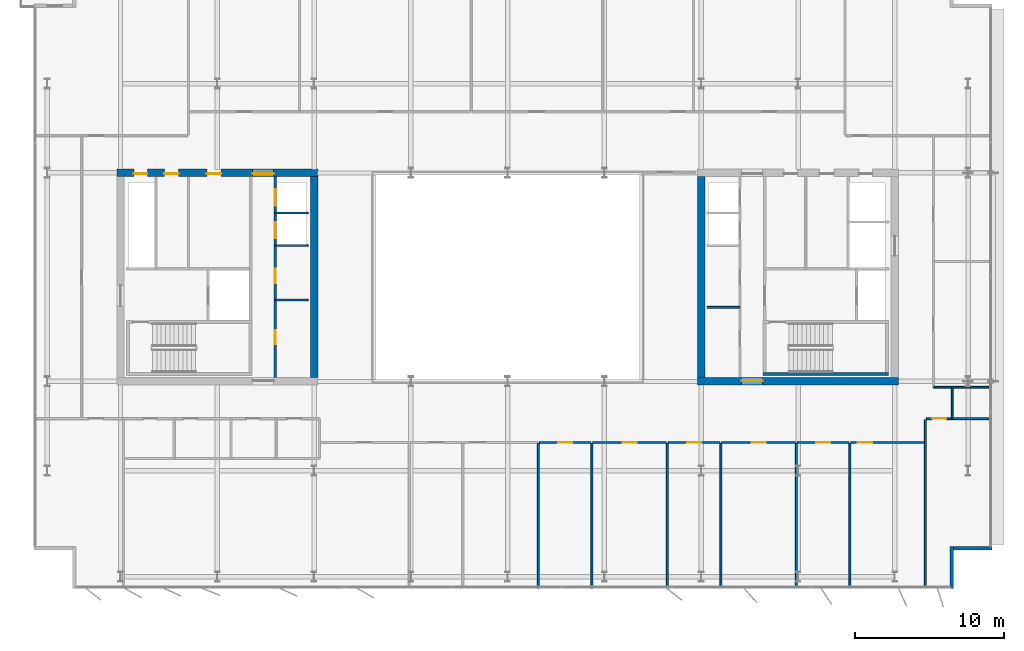
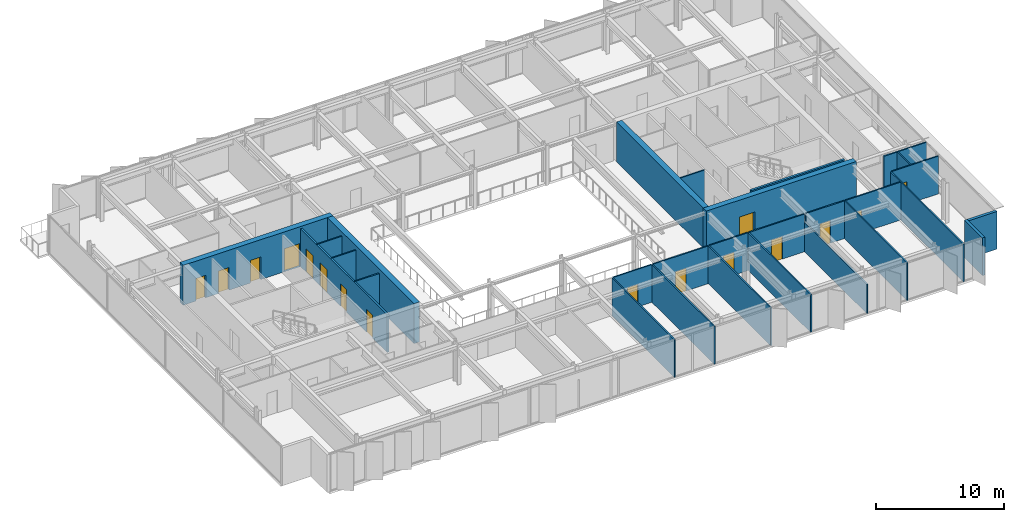
# One storey, part 14 of 20: 28 walls, 16 doors, 16 openings.
"""IFC4 building model written with IfcOpenShell, lengths in metres."""

from ifc_helpers import new_model, si_unit, direction, frame, frame_2d, origin, place, context, subcontext, project, spatial, rectangle, extrude, material, layer, layer_set, type_object, element, fill, save


model = new_model("IFC4")

# Units and contexts
model_context = context("Model", 3, precision=1e-05, world=origin(), true_north=direction((0.0, 1.0)))
body_context = subcontext(model_context, "Body", "Model", "MODEL_VIEW")
ifc_project = project(units=[si_unit("LENGTHUNIT", "METRE"), si_unit("AREAUNIT", "SQUARE_METRE"), si_unit("VOLUMEUNIT", "CUBIC_METRE"), si_unit("PLANEANGLEUNIT", "RADIAN"), si_unit("MASSUNIT", "GRAM", prefix="KILO")], contexts=[model_context])

# Site, building, storey
site_placement = place(None, origin())
site = spatial("IfcSite", under=ifc_project, at=site_placement, CompositionType="ELEMENT")
building_placement = place(site_placement, origin())
building = spatial("IfcBuilding", under=site, at=building_placement, Name="Putna Gate Headquarters", CompositionType="ELEMENT")
storey_placement = place(building_placement, frame((0.0, 0.0, 270.800048828125)))
storey = spatial("IfcBuildingStorey", under=building, at=storey_placement, Name="L68", CompositionType="ELEMENT", Elevation=270.800048828125)

# Wall, openings, doors
ifc_material_1 = material(Name="Concrete C50/60", Category="concrete")
ifc_layer_1 = layer(ifc_material_1, 0.5)
ifc_layer_set_1 = layer_set([ifc_layer_1], Name="Concrete C50/60")
wall_type_1 = type_object("IfcWallType", Name="WALL-CORE-500", PredefinedType="SHEAR", material=ifc_layer_set_1)
wall_1_placement = place(storey_placement, frame((12.75, 33.0, 0.0), z_axis=(0.0, 0.0, 1.0), x_axis=(1.0, 0.0, 0.0)))
wall_1 = element("IfcWall", 1, at=wall_1_placement, inside=storey, type_object=wall_type_1, Name="L68 WC Split Core Shear Wall N", PredefinedType="SHEAR", context=body_context, shape_type="SweptSolid", body=[
    extrude(rectangle(XDim=13.5, YDim=0.5, at=frame_2d((6.75, 0.0))), origin(), (0.0, 0.0, 1.0), 3.800048828125),
])
opening_1_placement = place(wall_1_placement, frame((1.14990234375, 0.0, 0.0)))
opening_1 = element("IfcOpeningElement", 2, at=opening_1_placement, cuts=wall_1, Name="Opening RD-90", PredefinedType="OPENING", context=body_context, shape_type="SweptSolid", body=[
    extrude(rectangle(XDim=0.89990234375, YDim=2.14990234375, at=frame_2d((0.449951171875, 1.074951171875))), frame((0.0, 0.260009765625, 0.0), z_axis=(0.0, -1.0, 0.0), x_axis=(1.0, 0.0, 0.0)), (0.0, 0.0, 1.0), 0.52001953125),
])
opening_2_placement = place(wall_1_placement, frame((3.199951171875, 0.0, 0.0)))
opening_2 = element("IfcOpeningElement", 3, at=opening_2_placement, cuts=wall_1, Name="Opening IDS-95", PredefinedType="OPENING", context=body_context, shape_type="SweptSolid", body=[
    extrude(rectangle(XDim=0.949951171875, YDim=2.14990234375, at=frame_2d((0.47509765625, 1.074951171875))), frame((0.0, 0.260009765625, 0.0), z_axis=(0.0, -1.0, 0.0), x_axis=(1.0, 0.0, 0.0)), (0.0, 0.0, 1.0), 0.52001953125),
])
opening_3_placement = place(wall_1_placement, frame((6.050048828125, 0.0, 0.0)))
opening_3 = element("IfcOpeningElement", 4, at=opening_3_placement, cuts=wall_1, Name="Opening IDS-95", PredefinedType="OPENING", context=body_context, shape_type="SweptSolid", body=[
    extrude(rectangle(XDim=0.949951171875, YDim=2.14990234375, at=frame_2d((0.47509765625, 1.074951171875))), frame((0.0, 0.260009765625, 0.0), z_axis=(0.0, -1.0, 0.0), x_axis=(1.0, 0.0, 0.0)), (0.0, 0.0, 1.0), 0.52001953125),
])
opening_4_placement = place(wall_1_placement, frame((9.1298828125, 0.0, 0.0)))
opening_4 = element("IfcOpeningElement", 5, at=opening_4_placement, cuts=wall_1, Name="Opening FDD-140", PredefinedType="OPENING", context=body_context, shape_type="SweptSolid", body=[
    extrude(rectangle(XDim=1.39990234375, YDim=2.199951171875, at=frame_2d((0.699951171875, 1.10009765625))), frame((0.0, 0.260009765625, 0.0), z_axis=(0.0, -1.0, 0.0), x_axis=(1.0, 0.0, 0.0)), (0.0, 0.0, 1.0), 0.52001953125),
])
ifc_material_2 = material(Name="Double steel fire door", Category="steel")
door_type_1 = type_object("IfcDoorType", Name="DOOR-FIRE-DBL-1400", OperationType="DOUBLE_DOOR_SINGLE_SWING", PredefinedType="DOOR", material=ifc_material_2)
door_1_placement = place(opening_4_placement, origin())
door_1 = element("IfcDoor", 6, at=door_1_placement, inside=storey, type_object=door_type_1, Name="L68 West Lift Lobby North Door", OperationType="DOUBLE_DOOR_SINGLE_SWING", OverallHeight=2.199951171875, OverallWidth=1.39990234375, PredefinedType="DOOR", context=body_context, shape_type="SweptSolid", body=[
    extrude(rectangle(XDim=1.39990234375, YDim=2.199951171875, at=frame_2d((0.699951171875, 1.10009765625))), frame((0.0, -0.02490234375, 0.0), z_axis=(0.0, -1.0, 0.0), x_axis=(1.0, 0.0, 0.0)), (0.0, 0.0, 1.0), 0.050048828125),
])
fill(opening_4, door_1)
ifc_material_3 = material(Name="Fire-rated service timber door", Category="wood")
door_type_2 = type_object("IfcDoorType", Name="DOOR-INT-950", OperationType="NOTDEFINED", PredefinedType="DOOR", material=ifc_material_3)
door_2_placement = place(opening_2_placement, origin())
door_2 = element("IfcDoor", 7, at=door_2_placement, inside=storey, type_object=door_type_2, Name="L68 Archive Store Door", OperationType="SINGLE_SWING_LEFT", OverallHeight=2.14990234375, OverallWidth=0.949951171875, PredefinedType="DOOR", context=body_context, shape_type="SweptSolid", body=[
    extrude(rectangle(XDim=0.949951171875, YDim=2.14990234375, at=frame_2d((0.47509765625, 1.074951171875))), frame((0.0, -0.02490234375, 0.0), z_axis=(0.0, -1.0, 0.0), x_axis=(1.0, 0.0, 0.0)), (0.0, 0.0, 1.0), 0.050048828125),
])
fill(opening_2, door_2)
door_3_placement = place(opening_3_placement, origin())
door_3 = element("IfcDoor", 8, at=door_3_placement, inside=storey, type_object=door_type_2, Name="L68 Switchgear Plant Door", OperationType="SINGLE_SWING_RIGHT", OverallHeight=2.14990234375, OverallWidth=0.949951171875, PredefinedType="DOOR", context=body_context, shape_type="SweptSolid", body=[
    extrude(rectangle(XDim=0.949951171875, YDim=2.14990234375, at=frame_2d((0.47509765625, 1.074951171875))), frame((0.0, -0.02490234375, 0.0), z_axis=(0.0, -1.0, 0.0), x_axis=(1.0, 0.0, 0.0)), (0.0, 0.0, 1.0), 0.050048828125),
])
fill(opening_3, door_3)
ifc_material_4 = material(Name="Steel riser access fire door", Category="steel")
door_type_3 = type_object("IfcDoorType", Name="DOOR-RISER-900", OperationType="NOTDEFINED", PredefinedType="DOOR", material=ifc_material_4)
door_4_placement = place(opening_1_placement, origin())
door_4 = element("IfcDoor", 9, at=door_4_placement, inside=storey, type_object=door_type_3, Name="L68 West Riser Access Door", OperationType="SINGLE_SWING_RIGHT", OverallHeight=2.14990234375, OverallWidth=0.89990234375, PredefinedType="DOOR", context=body_context, shape_type="SweptSolid", body=[
    extrude(rectangle(XDim=0.89990234375, YDim=2.14990234375, at=frame_2d((0.449951171875, 1.074951171875))), frame((0.0, -0.02490234375, 0.0), z_axis=(0.0, -1.0, 0.0), x_axis=(1.0, 0.0, 0.0)), (0.0, 0.0, 1.0), 0.050048828125),
])
fill(opening_1, door_4)

# Wall
wall_2_placement = place(storey_placement, frame((26.0, 19.25, 0.0), z_axis=(0.0, 0.0, 1.0), x_axis=(0.0, 1.0, 0.0)))
element("IfcWall", 10, at=wall_2_placement, inside=storey, type_object=wall_type_1, Name="L68 WC Split Core Shear Wall E", PredefinedType="SHEAR", context=body_context, shape_type="SweptSolid", body=[
    extrude(rectangle(XDim=13.5, YDim=0.5, at=frame_2d((6.75, 0.0))), origin(), (0.0, 0.0, 1.0), 3.800048828125),
])

# Wall, opening, door
wall_3_placement = place(storey_placement, frame((51.75, 19.0, 0.0), z_axis=(0.0, 0.0, 1.0), x_axis=(1.0, 0.0, 0.0)))
wall_3 = element("IfcWall", 11, at=wall_3_placement, inside=storey, type_object=wall_type_1, Name="L68 EC Split Core Shear Wall S", PredefinedType="SHEAR", context=body_context, shape_type="SweptSolid", body=[
    extrude(rectangle(XDim=13.5, YDim=0.5, at=frame_2d((6.75, 0.0))), origin(), (0.0, 0.0, 1.0), 3.800048828125),
])
opening_5_placement = place(wall_3_placement, frame((2.969970703125, 0.0, 0.0)))
opening_5 = element("IfcOpeningElement", 12, at=opening_5_placement, cuts=wall_3, Name="Opening FDD-140", PredefinedType="OPENING", context=body_context, shape_type="SweptSolid", body=[
    extrude(rectangle(XDim=1.39990234375, YDim=2.199951171875, at=frame_2d((0.699951171875, 1.10009765625))), frame((0.0, 0.260009765625, 0.0), z_axis=(0.0, -1.0, 0.0), x_axis=(1.0, 0.0, 0.0)), (0.0, 0.0, 1.0), 0.52001953125),
])
door_5_placement = place(opening_5_placement, origin())
door_5 = element("IfcDoor", 13, at=door_5_placement, inside=storey, type_object=door_type_1, Name="L68 East Lift Lobby South Door", OperationType="DOUBLE_DOOR_SINGLE_SWING", OverallHeight=2.199951171875, OverallWidth=1.39990234375, PredefinedType="DOOR", context=body_context, shape_type="SweptSolid", body=[
    extrude(rectangle(XDim=1.39990234375, YDim=2.199951171875, at=frame_2d((0.699951171875, 1.10009765625))), frame((0.0, 0.0751953125, 0.0), z_axis=(0.0, -1.0, 0.0), x_axis=(1.0, 0.0, 0.0)), (0.0, 0.0, 1.0), 0.050048828125),
])
fill(opening_5, door_5)

# Walls
wall_4_placement = place(storey_placement, frame((52.0, 19.25, 0.0), z_axis=(0.0, 0.0, 1.0), x_axis=(0.0, 1.0, 0.0)))
element("IfcWall", 14, at=wall_4_placement, inside=storey, type_object=wall_type_1, Name="L68 EC Split Core Shear Wall W", PredefinedType="SHEAR", context=body_context, shape_type="SweptSolid", body=[
    extrude(rectangle(XDim=13.5, YDim=0.5, at=frame_2d((6.75, 0.0))), origin(), (0.0, 0.0, 1.0), 3.800048828125),
])
ifc_material_5 = material(Name="Precast concrete C40/50", Category="concrete")
ifc_layer_2 = layer(ifc_material_5, 0.239990234375)
ifc_layer_set_2 = layer_set([ifc_layer_2], Name="Precast concrete C40/50")
wall_type_2 = type_object("IfcWallType", Name="WALL-EXT-TERR-240", PredefinedType="STANDARD", material=ifc_layer_set_2)
wall_5_placement = place(storey_placement, frame((68.832763671875, 7.89990234375, 0.0), z_axis=(0.0, 0.0, 1.0), x_axis=(0.0, -1.0, 0.0)))
element("IfcWall", 15, at=wall_5_placement, inside=storey, type_object=wall_type_2, Name="L68 Corner Notch Return Wall SE-V", PredefinedType="STANDARD", context=body_context, shape_type="SweptSolid", body=[
    extrude(rectangle(XDim=2.7998046875, YDim=0.239990234375, at=frame_2d((1.39990234375, 0.0))), origin(), (0.0, 0.0, 1.0), 3.587890625),
])
wall_6_placement = place(storey_placement, frame((71.5126953125, 7.780029296875, 0.0), z_axis=(0.0, 0.0, 1.0), x_axis=(-1.0, 0.0, 0.0)))
element("IfcWall", 16, at=wall_6_placement, inside=storey, type_object=wall_type_2, Name="L68 Corner Notch Return Wall SE-H", PredefinedType="STANDARD", context=body_context, shape_type="SweptSolid", body=[
    extrude(rectangle(XDim=2.800048828125, YDim=0.239990234375, at=frame_2d((1.39990234375, 0.0))), origin(), (0.0, 0.0, 1.0), 3.587890625),
])
ifc_material_6 = material(Name="Acoustic gypsum board on metal stud")
ifc_layer_3 = layer(ifc_material_6, 0.1201171875)
ifc_layer_set_3 = layer_set([ifc_layer_3], Name="Acoustic gypsum board on metal stud")
wall_type_3 = type_object("IfcWallType", Name="WALL-PART-120", PredefinedType="PARTITIONING", material=ifc_layer_set_3)
for number, where, z_axis, x_axis, name in (
    (17, (41.0634765625, 5.1201171875, 0.0), (0.0, 0.0, 1.0), (0.0, 1.0, 0.0), "L68 Interior Wall PART-L68-SB-DIV-04"),
    (18, (44.655517578125, 5.1201171875, 0.0), (0.0, 0.0, 1.0), (0.0, 1.0, 0.0), "L68 Interior Wall PART-L68-SB-DIV-05"),
    (19, (49.726806640625, 5.1201171875, 0.0), (0.0, 0.0, 1.0), (0.0, 1.0, 0.0), "L68 Interior Wall PART-L68-SB-DIV-06"),
    (20, (53.319091796875, 5.1201171875, 0.0), (0.0, 0.0, 1.0), (0.0, 1.0, 0.0), "L68 Interior Wall PART-L68-SB-DIV-07"),
):
    element("IfcWall", number, at=place(storey_placement, frame(where, z_axis=z_axis, x_axis=x_axis)), inside=storey, type_object=wall_type_3, Name=name, PredefinedType="PARTITIONING", context=body_context, shape_type="SweptSolid", body=[
        extrude(rectangle(XDim=9.719970703125, YDim=0.1201171875, at=frame_2d((4.85986328125, 0.0))), origin(), (0.0, 0.0, 1.0), 3.587890625),
    ])
wall_7_placement = place(storey_placement, frame((58.390380859375, 5.1201171875, 0.0), z_axis=(0.0, 0.0, 1.0), x_axis=(0.0, 1.0, 0.0)))
element("IfcWall", 21, at=wall_7_placement, inside=storey, type_object=wall_type_3, Name="L68 Interior Wall PART-L68-SB-DIV-08", PredefinedType="PARTITIONING", context=body_context, shape_type="SweptSolid", body=[
    extrude(rectangle(XDim=9.719970703125, YDim=0.1201171875, at=frame_2d((4.85986328125, 0.0))), origin(), (0.0, 0.0, 1.0), 2.787841796875),
])
wall_8_placement = place(storey_placement, frame((61.982421875, 5.1201171875, 0.0), z_axis=(0.0, 0.0, 1.0), x_axis=(0.0, 1.0, 0.0)))
element("IfcWall", 22, at=wall_8_placement, inside=storey, type_object=wall_type_3, Name="L68 Interior Wall PART-L68-SB-DIV-09", PredefinedType="PARTITIONING", context=body_context, shape_type="SweptSolid", body=[
    extrude(rectangle(XDim=9.719970703125, YDim=0.1201171875, at=frame_2d((4.85986328125, 0.0))), origin(), (0.0, 0.0, 1.0), 3.587890625),
])
wall_9_placement = place(storey_placement, frame((67.0537109375, 5.1201171875, 0.0), z_axis=(0.0, 0.0, 1.0), x_axis=(0.0, 1.0, 0.0)))
element("IfcWall", 23, at=wall_9_placement, inside=storey, type_object=wall_type_3, Name="L68 Interior Wall PART-L68-SB-DIV-10", PredefinedType="PARTITIONING", context=body_context, shape_type="SweptSolid", body=[
    extrude(rectangle(XDim=11.31982421875, YDim=0.1201171875, at=frame_2d((5.659912109375, 0.0))), origin(), (0.0, 0.0, 1.0), 3.587890625),
])
ifc_material_7 = material(Name="Fire-rated shaftwall gypsum board on metal stud")
ifc_layer_4 = layer(ifc_material_7, 0.1201171875)
ifc_layer_set_4 = layer_set([ifc_layer_4], Name="Fire-rated shaftwall gypsum board on metal stud")
wall_type_4 = type_object("IfcWallType", Name="WALL-PART-120-EI120", PredefinedType="PARTITIONING", material=ifc_layer_set_4)
wall_10_placement = place(storey_placement, frame((23.39990234375, 30.31005859375, 0.0), z_axis=(0.0, 0.0, 1.0), x_axis=(1.0, 0.0, 0.0)))
element("IfcWall", 24, at=wall_10_placement, inside=storey, type_object=wall_type_4, Name="L68 Interior Wall CWINT-L68-WC-LF09-DIV", PredefinedType="PARTITIONING", context=body_context, shape_type="SweptSolid", body=[
    extrude(rectangle(XDim=2.2001953125, YDim=0.1201171875, at=frame_2d((1.10009765625, 0.0))), origin(), (0.0, 0.0, 1.0), 3.587890625),
])
ifc_material_8 = material(Name="Fire-rated gypsum board on metal stud")
ifc_layer_5 = layer(ifc_material_8, 0.1201171875)
ifc_layer_set_5 = layer_set([ifc_layer_5], Name="Fire-rated gypsum board on metal stud")
wall_type_5 = type_object("IfcWallType", Name="WALL-PART-120-RATED", PredefinedType="PARTITIONING", material=ifc_layer_set_5)
for number, where, z_axis, x_axis, name in (
    (25, (23.39990234375, 24.469970703125, 0.0), (0.0, 0.0, 1.0), (1.0, 0.0, 0.0), "L68 Interior Wall CWINT-L68-WC-REUSE-DIV"),
    (26, (23.39990234375, 28.1201171875, 0.0), (0.0, 0.0, 1.0), (1.0, 0.0, 0.0), "L68 Interior Wall CWINT-L68-WC-LF06-DIV"),
    (27, (52.39990234375, 23.969970703125, 0.0), (0.0, 0.0, 1.0), (1.0, 0.0, 0.0), "L68 Interior Wall CWINT-L68-EC-REUSE-DIV"),
):
    element("IfcWall", number, at=place(storey_placement, frame(where, z_axis=z_axis, x_axis=x_axis)), inside=storey, type_object=wall_type_5, Name=name, PredefinedType="PARTITIONING", context=body_context, shape_type="SweptSolid", body=[
        extrude(rectangle(XDim=2.2001953125, YDim=0.1201171875, at=frame_2d((1.10009765625, 0.0))), origin(), (0.0, 0.0, 1.0), 3.587890625),
    ])
wall_11_placement = place(storey_placement, frame((68.853759765625, 16.5, 0.0), z_axis=(0.0, 0.0, 1.0), x_axis=(0.0, 1.0, 0.0)))
element("IfcWall", 28, at=wall_11_placement, inside=storey, type_object=wall_type_5, Name="L68 Interior Wall PART-L68-CORRS-CAPE", PredefinedType="PARTITIONING", context=body_context, shape_type="SweptSolid", body=[
    extrude(rectangle(XDim=2.10009765625, YDim=0.1201171875, at=frame_2d((1.050048828125, 0.0))), origin(), (0.0, 0.0, 1.0), 3.587890625),
])

# Wall, opening, door
wall_12_placement = place(storey_placement, frame((41.12353515625, 14.89990234375, 0.0), z_axis=(0.0, 0.0, 1.0), x_axis=(1.0, 0.0, 0.0)))
wall_12 = element("IfcWall", 29, at=wall_12_placement, inside=storey, type_object=wall_type_5, Name="L68 Interior Wall PART-L68-SB-CW-05", PredefinedType="PARTITIONING", context=body_context, shape_type="SweptSolid", body=[
    extrude(rectangle(XDim=3.47216796875, YDim=0.1201171875, at=frame_2d((1.736083984375, 0.0))), origin(), (0.0, 0.0, 1.0), 3.587890625),
])
opening_6_placement = place(wall_12_placement, frame((1.260986328125, 0.0, 0.0)))
opening_6 = element("IfcOpeningElement", 30, at=opening_6_placement, cuts=wall_12, Name="Opening FD-95", PredefinedType="OPENING", context=body_context, shape_type="SweptSolid", body=[
    extrude(rectangle(XDim=0.949951171875, YDim=2.14990234375, at=frame_2d((0.47509765625, 1.074951171875))), frame((0.0, 0.070068359375, 0.0), z_axis=(0.0, -1.0, 0.0), x_axis=(1.0, 0.0, 0.0)), (0.0, 0.0, 1.0), 0.14013671875),
])
ifc_material_9 = material(Name="Acoustic timber fire door", Category="wood")
door_type_4 = type_object("IfcDoorType", Name="DOOR-FIRE-950", OperationType="NOTDEFINED", PredefinedType="DOOR", material=ifc_material_9)
door_6_placement = place(opening_6_placement, origin())
door_6 = element("IfcDoor", 31, at=door_6_placement, inside=storey, type_object=door_type_4, Name="L68 Cellular Office 7 Door", OperationType="SINGLE_SWING_LEFT", OverallHeight=2.14990234375, OverallWidth=0.949951171875, PredefinedType="DOOR", context=body_context, shape_type="SweptSolid", body=[
    extrude(rectangle(XDim=0.949951171875, YDim=2.14990234375, at=frame_2d((0.47509765625, 1.074951171875))), frame((0.0, 0.02490234375, 0.0), z_axis=(0.0, -1.0, 0.0), x_axis=(1.0, 0.0, 0.0)), (0.0, 0.0, 1.0), 0.050048828125),
])
fill(opening_6, door_6)

wall_13_placement = place(storey_placement, frame((44.715576171875, 14.89990234375, 0.0), z_axis=(0.0, 0.0, 1.0), x_axis=(1.0, 0.0, 0.0)))
wall_13 = element("IfcWall", 32, at=wall_13_placement, inside=storey, type_object=wall_type_5, Name="L68 Interior Wall PART-L68-SB-CW-06", PredefinedType="PARTITIONING", context=body_context, shape_type="SweptSolid", body=[
    extrude(rectangle(XDim=4.951416015625, YDim=0.1201171875, at=frame_2d((2.4755859375, 0.0))), origin(), (0.0, 0.0, 1.0), 3.587890625),
])
opening_7_placement = place(wall_13_placement, frame((2.00048828125, 0.0, 0.0)))
opening_7 = element("IfcOpeningElement", 33, at=opening_7_placement, cuts=wall_13, Name="Opening FD-95", PredefinedType="OPENING", context=body_context, shape_type="SweptSolid", body=[
    extrude(rectangle(XDim=0.949951171875, YDim=2.14990234375, at=frame_2d((0.47509765625, 1.074951171875))), frame((0.0, 0.070068359375, 0.0), z_axis=(0.0, -1.0, 0.0), x_axis=(1.0, 0.0, 0.0)), (0.0, 0.0, 1.0), 0.14013671875),
])
door_7_placement = place(opening_7_placement, origin())
door_7 = element("IfcDoor", 34, at=door_7_placement, inside=storey, type_object=door_type_4, Name="L68 Conference Meeting Room 1 Door", OperationType="SINGLE_SWING_RIGHT", OverallHeight=2.14990234375, OverallWidth=0.949951171875, PredefinedType="DOOR", context=body_context, shape_type="SweptSolid", body=[
    extrude(rectangle(XDim=0.949951171875, YDim=2.14990234375, at=frame_2d((0.47509765625, 1.074951171875))), frame((0.0, 0.02490234375, 0.0), z_axis=(0.0, -1.0, 0.0), x_axis=(1.0, 0.0, 0.0)), (0.0, 0.0, 1.0), 0.050048828125),
])
fill(opening_7, door_7)

wall_14_placement = place(storey_placement, frame((49.786865234375, 14.89990234375, 0.0), z_axis=(0.0, 0.0, 1.0), x_axis=(1.0, 0.0, 0.0)))
wall_14 = element("IfcWall", 35, at=wall_14_placement, inside=storey, type_object=wall_type_5, Name="L68 Interior Wall PART-L68-SB-CW-07", PredefinedType="PARTITIONING", context=body_context, shape_type="SweptSolid", body=[
    extrude(rectangle(XDim=3.47216796875, YDim=0.1201171875, at=frame_2d((1.736083984375, 0.0))), origin(), (0.0, 0.0, 1.0), 3.587890625),
])
opening_8_placement = place(wall_14_placement, frame((1.260986328125, 0.0, 0.0)))
opening_8 = element("IfcOpeningElement", 36, at=opening_8_placement, cuts=wall_14, Name="Opening FD-95", PredefinedType="OPENING", context=body_context, shape_type="SweptSolid", body=[
    extrude(rectangle(XDim=0.949951171875, YDim=2.14990234375, at=frame_2d((0.47509765625, 1.074951171875))), frame((0.0, 0.070068359375, 0.0), z_axis=(0.0, -1.0, 0.0), x_axis=(1.0, 0.0, 0.0)), (0.0, 0.0, 1.0), 0.14013671875),
])
door_8_placement = place(opening_8_placement, origin())
door_8 = element("IfcDoor", 37, at=door_8_placement, inside=storey, type_object=door_type_4, Name="L68 Conference Meeting Room 2 Door", OperationType="SINGLE_SWING_LEFT", OverallHeight=2.14990234375, OverallWidth=0.949951171875, PredefinedType="DOOR", context=body_context, shape_type="SweptSolid", body=[
    extrude(rectangle(XDim=0.949951171875, YDim=2.14990234375, at=frame_2d((0.47509765625, 1.074951171875))), frame((0.0, 0.02490234375, 0.0), z_axis=(0.0, -1.0, 0.0), x_axis=(1.0, 0.0, 0.0)), (0.0, 0.0, 1.0), 0.050048828125),
])
fill(opening_8, door_8)

wall_15_placement = place(storey_placement, frame((53.379150390625, 14.89990234375, 0.0), z_axis=(0.0, 0.0, 1.0), x_axis=(1.0, 0.0, 0.0)))
wall_15 = element("IfcWall", 38, at=wall_15_placement, inside=storey, type_object=wall_type_5, Name="L68 Interior Wall PART-L68-SB-CW-08", PredefinedType="PARTITIONING", context=body_context, shape_type="SweptSolid", body=[
    extrude(rectangle(XDim=4.951171875, YDim=0.1201171875, at=frame_2d((2.4755859375, 0.0))), origin(), (0.0, 0.0, 1.0), 3.587890625),
])
opening_9_placement = place(wall_15_placement, frame((2.00048828125, 0.0, 0.0)))
opening_9 = element("IfcOpeningElement", 39, at=opening_9_placement, cuts=wall_15, Name="Opening FD-95", PredefinedType="OPENING", context=body_context, shape_type="SweptSolid", body=[
    extrude(rectangle(XDim=0.949951171875, YDim=2.14990234375, at=frame_2d((0.47509765625, 1.074951171875))), frame((0.0, 0.070068359375, 0.0), z_axis=(0.0, -1.0, 0.0), x_axis=(1.0, 0.0, 0.0)), (0.0, 0.0, 1.0), 0.14013671875),
])
door_9_placement = place(opening_9_placement, origin())
door_9 = element("IfcDoor", 40, at=door_9_placement, inside=storey, type_object=door_type_4, Name="L68 Conference Meeting Room 3 Door", OperationType="SINGLE_SWING_RIGHT", OverallHeight=2.14990234375, OverallWidth=0.949951171875, PredefinedType="DOOR", context=body_context, shape_type="SweptSolid", body=[
    extrude(rectangle(XDim=0.949951171875, YDim=2.14990234375, at=frame_2d((0.47509765625, 1.074951171875))), frame((0.0, 0.02490234375, 0.0), z_axis=(0.0, -1.0, 0.0), x_axis=(1.0, 0.0, 0.0)), (0.0, 0.0, 1.0), 0.050048828125),
])
fill(opening_9, door_9)

wall_16_placement = place(storey_placement, frame((58.450439453125, 14.89990234375, 0.0), z_axis=(0.0, 0.0, 1.0), x_axis=(1.0, 0.0, 0.0)))
wall_16 = element("IfcWall", 41, at=wall_16_placement, inside=storey, type_object=wall_type_5, Name="L68 Interior Wall PART-L68-SB-CW-09", PredefinedType="PARTITIONING", context=body_context, shape_type="SweptSolid", body=[
    extrude(rectangle(XDim=3.47216796875, YDim=0.1201171875, at=frame_2d((1.736083984375, 0.0))), origin(), (0.0, 0.0, 1.0), 3.587890625),
])
opening_10_placement = place(wall_16_placement, frame((1.260986328125, 0.0, 0.0)))
opening_10 = element("IfcOpeningElement", 42, at=opening_10_placement, cuts=wall_16, Name="Opening FD-95", PredefinedType="OPENING", context=body_context, shape_type="SweptSolid", body=[
    extrude(rectangle(XDim=0.949951171875, YDim=2.14990234375, at=frame_2d((0.47509765625, 1.074951171875))), frame((0.0, 0.070068359375, 0.0), z_axis=(0.0, -1.0, 0.0), x_axis=(1.0, 0.0, 0.0)), (0.0, 0.0, 1.0), 0.14013671875),
])
door_10_placement = place(opening_10_placement, origin())
door_10 = element("IfcDoor", 43, at=door_10_placement, inside=storey, type_object=door_type_4, Name="L68 Conference Meeting Room 4 Door", OperationType="SINGLE_SWING_LEFT", OverallHeight=2.14990234375, OverallWidth=0.949951171875, PredefinedType="DOOR", context=body_context, shape_type="SweptSolid", body=[
    extrude(rectangle(XDim=0.949951171875, YDim=2.14990234375, at=frame_2d((0.47509765625, 1.074951171875))), frame((0.0, 0.02490234375, 0.0), z_axis=(0.0, -1.0, 0.0), x_axis=(1.0, 0.0, 0.0)), (0.0, 0.0, 1.0), 0.050048828125),
])
fill(opening_10, door_10)

wall_17_placement = place(storey_placement, frame((62.04248046875, 14.89990234375, 0.0), z_axis=(0.0, 0.0, 1.0), x_axis=(1.0, 0.0, 0.0)))
wall_17 = element("IfcWall", 44, at=wall_17_placement, inside=storey, type_object=wall_type_5, Name="L68 Interior Wall PART-L68-SB-CW-10", PredefinedType="PARTITIONING", context=body_context, shape_type="SweptSolid", body=[
    extrude(rectangle(XDim=4.951416015625, YDim=0.1201171875, at=frame_2d((2.4755859375, 0.0))), origin(), (0.0, 0.0, 1.0), 3.587890625),
])
opening_11_placement = place(wall_17_placement, frame((0.47998046875, 0.0, 0.0)))
opening_11 = element("IfcOpeningElement", 45, at=opening_11_placement, cuts=wall_17, Name="Opening FD-95", PredefinedType="OPENING", context=body_context, shape_type="SweptSolid", body=[
    extrude(rectangle(XDim=0.949951171875, YDim=2.14990234375, at=frame_2d((0.47509765625, 1.074951171875))), frame((0.0, 0.070068359375, 0.0), z_axis=(0.0, -1.0, 0.0), x_axis=(1.0, 0.0, 0.0)), (0.0, 0.0, 1.0), 0.14013671875),
])
door_11_placement = place(opening_11_placement, origin())
door_11 = element("IfcDoor", 46, at=door_11_placement, inside=storey, type_object=door_type_4, Name="L68 Collaborative Breakout Lounge 1 Door", OperationType="SINGLE_SWING_RIGHT", OverallHeight=2.14990234375, OverallWidth=0.949951171875, PredefinedType="DOOR", context=body_context, shape_type="SweptSolid", body=[
    extrude(rectangle(XDim=0.949951171875, YDim=2.14990234375, at=frame_2d((0.47509765625, 1.074951171875))), frame((0.0, 0.02490234375, 0.0), z_axis=(0.0, -1.0, 0.0), x_axis=(1.0, 0.0, 0.0)), (0.0, 0.0, 1.0), 0.050048828125),
])
fill(opening_11, door_11)

wall_18_placement = place(storey_placement, frame((67.11376953125, 16.5, 0.0), z_axis=(0.0, 0.0, 1.0), x_axis=(1.0, 0.0, 0.0)))
wall_18 = element("IfcWall", 47, at=wall_18_placement, inside=storey, type_object=wall_type_5, Name="L68 Interior Wall PART-L68-SB-CW-11", PredefinedType="PARTITIONING", context=body_context, shape_type="SweptSolid", body=[
    extrude(rectangle(XDim=4.218994140625, YDim=0.1201171875, at=frame_2d((2.109375, 0.0))), origin(), (0.0, 0.0, 1.0), 3.587890625),
])
opening_12_placement = place(wall_18_placement, frame((0.39501953125, 0.0, 0.0)))
opening_12 = element("IfcOpeningElement", 48, at=opening_12_placement, cuts=wall_18, Name="Opening FD-95", PredefinedType="OPENING", context=body_context, shape_type="SweptSolid", body=[
    extrude(rectangle(XDim=0.949951171875, YDim=2.14990234375, at=frame_2d((0.47509765625, 1.074951171875))), frame((0.0, 0.070068359375, 0.0), z_axis=(0.0, -1.0, 0.0), x_axis=(1.0, 0.0, 0.0)), (0.0, 0.0, 1.0), 0.14013671875),
])
door_12_placement = place(opening_12_placement, origin())
door_12 = element("IfcDoor", 49, at=door_12_placement, inside=storey, type_object=door_type_4, Name="L68 Quiet Wellness Focus Studio 2 Door", OperationType="SINGLE_SWING_LEFT", OverallHeight=2.14990234375, OverallWidth=0.949951171875, PredefinedType="DOOR", context=body_context, shape_type="SweptSolid", body=[
    extrude(rectangle(XDim=0.949951171875, YDim=2.14990234375, at=frame_2d((0.47509765625, 1.074951171875))), frame((0.0, 0.02490234375, 0.0), z_axis=(0.0, -1.0, 0.0), x_axis=(1.0, 0.0, 0.0)), (0.0, 0.0, 1.0), 0.050048828125),
])
fill(opening_12, door_12)

# Wall
wall_19_placement = place(storey_placement, frame((67.60009765625, 18.60009765625, 0.0), z_axis=(0.0, 0.0, 1.0), x_axis=(1.0, 0.0, 0.0)))
element("IfcWall", 50, at=wall_19_placement, inside=storey, type_object=wall_type_5, Name="L68 Interior Wall PART-L68-EW-S-BOUND", PredefinedType="PARTITIONING", context=body_context, shape_type="SweptSolid", body=[
    extrude(rectangle(XDim=3.892578125, YDim=0.1201171875, at=frame_2d((1.9462890625, 0.0))), origin(), (0.0, 0.0, 1.0), 3.587890625),
])

# Wall, openings, doors
ifc_material_10 = material(Name="Concrete C40/50", Category="concrete")
ifc_layer_6 = layer(ifc_material_10, 0.159912109375)
ifc_layer_set_6 = layer_set([ifc_layer_6], Name="Concrete C40/50")
wall_type_6 = type_object("IfcWallType", Name="WALL-SHAFT-160", PredefinedType="STANDARD", material=ifc_layer_set_6)
wall_20_placement = place(storey_placement, frame((23.39990234375, 19.25, 0.0), z_axis=(0.0, 0.0, 1.0), x_axis=(0.0, 1.0, 0.0)))
wall_20 = element("IfcWall", 51, at=wall_20_placement, inside=storey, type_object=wall_type_6, Name="L68 Interior Wall CWINT-L68-WC-PL-WALL", PredefinedType="STANDARD", context=body_context, shape_type="SweptSolid", body=[
    extrude(rectangle(XDim=13.5, YDim=0.159912109375, at=frame_2d((6.75, 0.0))), origin(), (0.0, 0.0, 1.0), 3.587890625),
])
opening_13_placement = place(wall_20_placement, frame((2.25, 0.0, 0.0)))
opening_13 = element("IfcOpeningElement", 52, at=opening_13_placement, cuts=wall_20, Name="Opening IDS-95", PredefinedType="OPENING", context=body_context, shape_type="SweptSolid", body=[
    extrude(rectangle(XDim=0.949951171875, YDim=2.14990234375, at=frame_2d((0.47509765625, 1.074951171875))), frame((0.0, 0.08984375, 0.0), z_axis=(0.0, -1.0, 0.0), x_axis=(1.0, 0.0, 0.0)), (0.0, 0.0, 1.0), 0.179931640625),
])
opening_14_placement = place(wall_20_placement, frame((6.35009765625, 0.0, 0.0)))
opening_14 = element("IfcOpeningElement", 53, at=opening_14_placement, cuts=wall_20, Name="Opening IDS-95", PredefinedType="OPENING", context=body_context, shape_type="SweptSolid", body=[
    extrude(rectangle(XDim=0.949951171875, YDim=2.14990234375, at=frame_2d((0.47509765625, 1.074951171875))), frame((0.0, 0.08984375, 0.0), z_axis=(0.0, -1.0, 0.0), x_axis=(1.0, 0.0, 0.0)), (0.0, 0.0, 1.0), 0.179931640625),
])
opening_15_placement = place(wall_20_placement, frame((9.35009765625, 0.0, 0.0)))
opening_15 = element("IfcOpeningElement", 54, at=opening_15_placement, cuts=wall_20, Name="Opening LD-1", PredefinedType="OPENING", context=body_context, shape_type="SweptSolid", body=[
    extrude(rectangle(XDim=1.10009765625, YDim=2.199951171875, at=frame_2d((0.550048828125, 1.10009765625))), frame((0.0, 0.08984375, 0.0), z_axis=(0.0, -1.0, 0.0), x_axis=(1.0, 0.0, 0.0)), (0.0, 0.0, 1.0), 0.179931640625),
])
opening_16_placement = place(wall_20_placement, frame((11.550048828125, 0.0, 0.0)))
opening_16 = element("IfcOpeningElement", 55, at=opening_16_placement, cuts=wall_20, Name="Opening LD-1", PredefinedType="OPENING", context=body_context, shape_type="SweptSolid", body=[
    extrude(rectangle(XDim=1.10009765625, YDim=2.199951171875, at=frame_2d((0.550048828125, 1.10009765625))), frame((0.0, 0.08984375, 0.0), z_axis=(0.0, -1.0, 0.0), x_axis=(1.0, 0.0, 0.0)), (0.0, 0.0, 1.0), 0.179931640625),
])
door_13_placement = place(opening_13_placement, origin())
door_13 = element("IfcDoor", 56, at=door_13_placement, inside=storey, type_object=door_type_2, Name="L68 Tenant IT Hub Door", OperationType="SINGLE_SWING_LEFT", OverallHeight=2.14990234375, OverallWidth=0.949951171875, PredefinedType="DOOR", context=body_context, shape_type="SweptSolid", body=[
    extrude(rectangle(XDim=0.949951171875, YDim=2.14990234375, at=frame_2d((0.47509765625, 1.074951171875))), frame((0.0, 0.02490234375, 0.0), z_axis=(0.0, -1.0, 0.0), x_axis=(1.0, 0.0, 0.0)), (0.0, 0.0, 1.0), 0.050048828125),
])
fill(opening_13, door_13)
door_14_placement = place(opening_14_placement, origin())
door_14 = element("IfcDoor", 57, at=door_14_placement, inside=storey, type_object=door_type_2, Name="L68 Records Vault Door", OperationType="SINGLE_SWING_RIGHT", OverallHeight=2.14990234375, OverallWidth=0.949951171875, PredefinedType="DOOR", context=body_context, shape_type="SweptSolid", body=[
    extrude(rectangle(XDim=0.949951171875, YDim=2.14990234375, at=frame_2d((0.47509765625, 1.074951171875))), frame((0.0, 0.02490234375, 0.0), z_axis=(0.0, -1.0, 0.0), x_axis=(1.0, 0.0, 0.0)), (0.0, 0.0, 1.0), 0.050048828125),
])
fill(opening_14, door_14)
ifc_material_11 = material(Name="Brushed bronze stainless lift landing door")
door_type_5 = type_object("IfcDoorType", Name="DOOR-LIFT-1100", OperationType="DOUBLE_DOOR_SLIDING", PredefinedType="DOOR", material=ifc_material_11)
door_15_placement = place(opening_15_placement, origin())
door_15 = element("IfcDoor", 58, at=door_15_placement, inside=storey, type_object=door_type_5, Name="L68 Lift Landing Door LD-09", OperationType="DOUBLE_DOOR_SLIDING", OverallHeight=2.199951171875, OverallWidth=1.10009765625, PredefinedType="DOOR", context=body_context, shape_type="SweptSolid", body=[
    extrude(rectangle(XDim=1.10009765625, YDim=2.199951171875, at=frame_2d((0.550048828125, 1.10009765625))), frame((0.0, 0.02490234375, 0.0), z_axis=(0.0, -1.0, 0.0), x_axis=(1.0, 0.0, 0.0)), (0.0, 0.0, 1.0), 0.050048828125),
])
fill(opening_15, door_15)
door_16_placement = place(opening_16_placement, origin())
door_16 = element("IfcDoor", 59, at=door_16_placement, inside=storey, type_object=door_type_5, Name="L68 Lift Landing Door LD-10", OperationType="DOUBLE_DOOR_SLIDING", OverallHeight=2.199951171875, OverallWidth=1.10009765625, PredefinedType="DOOR", context=body_context, shape_type="SweptSolid", body=[
    extrude(rectangle(XDim=1.10009765625, YDim=2.199951171875, at=frame_2d((0.550048828125, 1.10009765625))), frame((0.0, 0.02490234375, 0.0), z_axis=(0.0, -1.0, 0.0), x_axis=(1.0, 0.0, 0.0)), (0.0, 0.0, 1.0), 0.050048828125),
])
fill(opening_16, door_16)

# Wall
ifc_layer_7 = layer(ifc_material_10, 0.199951171875)
ifc_layer_set_7 = layer_set([ifc_layer_7], Name="Concrete C40/50")
wall_type_7 = type_object("IfcWallType", Name="WALL-SHAFT-RC200", PredefinedType="SHEAR", material=ifc_layer_set_7)
wall_21_placement = place(storey_placement, frame((56.159912109375, 19.510009765625, 0.0), z_axis=(0.0, 0.0, 1.0), x_axis=(1.0, 0.0, 0.0)))
element("IfcWall", 60, at=wall_21_placement, inside=storey, type_object=wall_type_7, Name="L68 Stair ST2 Structural Shaft Wall S", PredefinedType="SHEAR", context=body_context, shape_type="SweptSolid", body=[
    extrude(rectangle(XDim=8.43017578125, YDim=0.199951171875, at=frame_2d((4.215087890625, 0.0))), origin(), (0.0, 0.0, 1.0), 3.800048828125),
])

save(model, "model.ifc")
